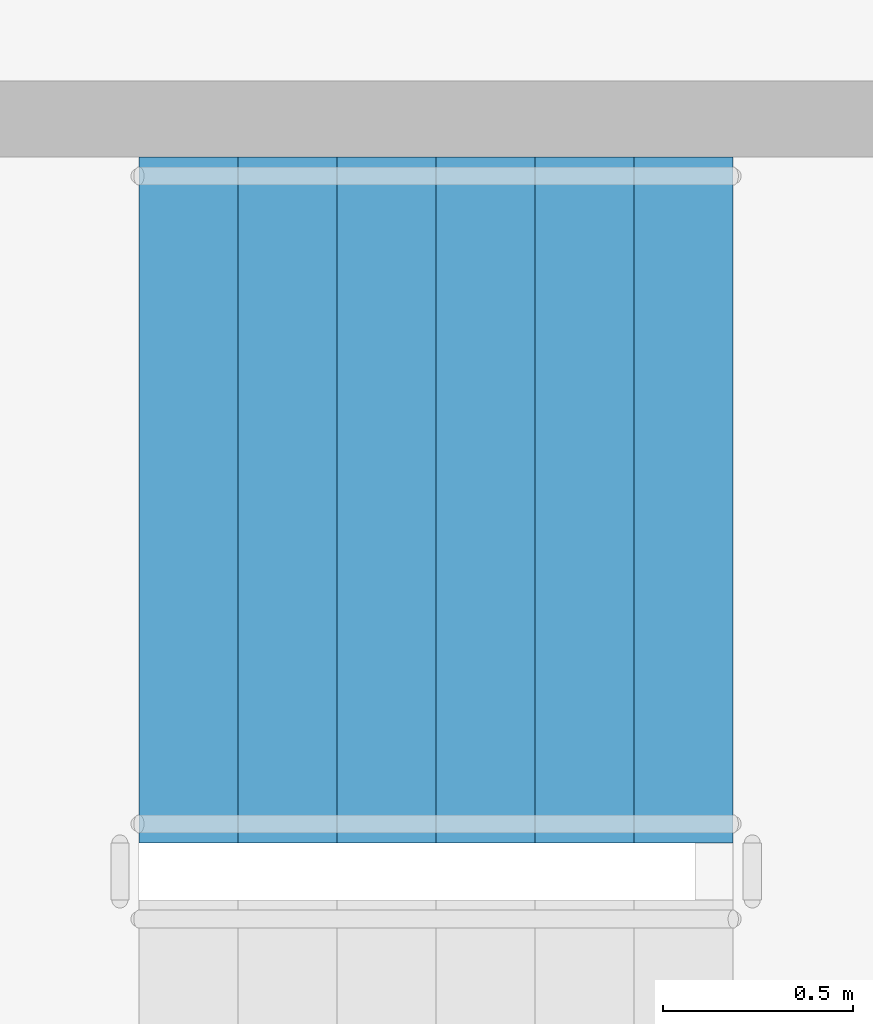
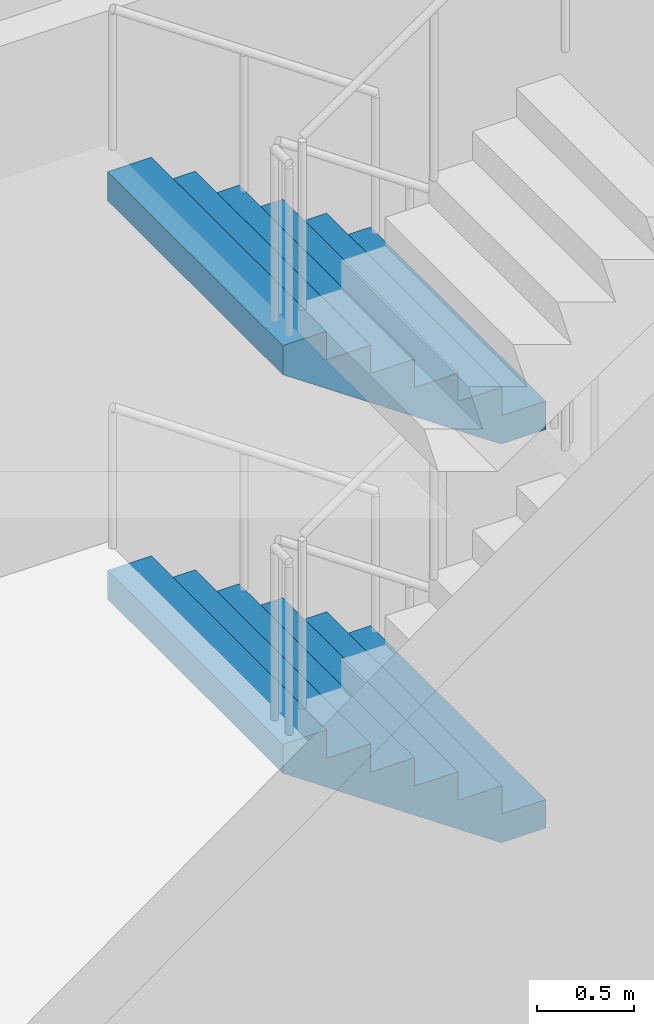
# One storey, part 43 of 59: 2 stair flights, 1 element without a shape of its own.
"""IFC4 building model written with IfcOpenShell, lengths in metres."""

from ifc_helpers import new_model, si_unit, direction, frame, origin, place, context, subcontext, project, spatial, faceted_brep, material, type_object, element, aggregate, save


model = new_model("IFC4")

# Units and contexts
model_context = context("Model", 3, precision=1e-05, world=origin(), true_north=direction((0.0, 1.0)))
body_context = subcontext(model_context, "Body", "Model", "MODEL_VIEW")
ifc_project = project(units=[si_unit("LENGTHUNIT", "METRE"), si_unit("AREAUNIT", "SQUARE_METRE"), si_unit("VOLUMEUNIT", "CUBIC_METRE"), si_unit("PLANEANGLEUNIT", "RADIAN"), si_unit("MASSUNIT", "GRAM", prefix="KILO")], contexts=[model_context])

# Site, building, storey
site_placement = place(None, origin())
site = spatial("IfcSite", under=ifc_project, at=site_placement, CompositionType="ELEMENT")
building_placement = place(site_placement, origin())
building = spatial("IfcBuilding", under=site, at=building_placement, Name="Ipe Terrace Towers", CompositionType="ELEMENT")
storey_placement = place(building_placement, frame((0.0, 0.0, 6.0)))
storey = spatial("IfcBuildingStorey", under=building, at=storey_placement, Name="L01", CompositionType="ELEMENT", Elevation=6.0)

# Stair, stair flights
ifc_material_1 = material(Name="Concrete C30/37", Category="concrete")
stair_type = type_object("IfcStairType", Name="Protected exit stair", PredefinedType="HALF_TURN_STAIR", material=ifc_material_1)
stair_placement = place(storey_placement, origin())
stair = element("IfcStair", 1, at=stair_placement, inside=storey, type_object=stair_type, Name="L01 Podium exit stair PS1", PredefinedType="HALF_TURN_STAIR")
ifc_material_2 = material(Name="Concrete C30/37", Category="concrete")
stair_flight_type = type_object("IfcStairFlightType", Name="Exit stair flight 1800", PredefinedType="STRAIGHT", material=ifc_material_2)
stair_flight_1_placement = place(storey_placement, frame((-54.27001953125, 25.5, 0.0), z_axis=(0.0, 0.0, 1.0), x_axis=(-1.0, 0.0, 0.0)))
stair_flight_1 = element("IfcStairFlight", 2, at=stair_flight_1_placement, type_object=stair_flight_type, Name="PS1 flight 1", NumberOfRisers=7, NumberOfTreads=6, PredefinedType="STRAIGHT", RiserHeight=0.178571429, TreadLength=0.26, context=body_context, shape_type="Brep", body=[
    faceted_brep([(0.264892578125, -0.89990234375, 0.0), (1.56005859375, -0.89990234375, 0.8896484375), (1.56005859375, -0.89990234375, 1.071533203125), (1.300048828125, -0.89990234375, 1.071533203125), (1.300048828125, -0.89990234375, 0.892822265625), (1.0400390625, -0.89990234375, 0.892822265625), (1.0400390625, -0.89990234375, 0.71435546875), (0.780029296875, -0.89990234375, 0.71435546875), (0.780029296875, -0.89990234375, 0.53564453125), (0.52001953125, -0.89990234375, 0.53564453125), (0.52001953125, -0.89990234375, 0.357177734375), (0.260009765625, -0.89990234375, 0.357177734375), (0.260009765625, -0.89990234375, 0.178466796875), (0.0, -0.89990234375, 0.178466796875), (0.0, -0.89990234375, 0.0), (0.0, 0.89990234375, 0.0), (0.0, 0.89990234375, 0.178466796875), (0.260009765625, 0.89990234375, 0.178466796875), (0.260009765625, 0.89990234375, 0.357177734375), (0.52001953125, 0.89990234375, 0.357177734375), (0.52001953125, 0.89990234375, 0.53564453125), (0.780029296875, 0.89990234375, 0.53564453125), (0.780029296875, 0.89990234375, 0.71435546875), (1.0400390625, 0.89990234375, 0.71435546875), (1.0400390625, 0.89990234375, 0.892822265625), (1.300048828125, 0.89990234375, 0.892822265625), (1.300048828125, 0.89990234375, 1.071533203125), (1.56005859375, 0.89990234375, 1.071533203125), (1.56005859375, 0.89990234375, 0.8896484375), (0.264892578125, 0.89990234375, 0.0), (0.0, -0.300048828125, 0.178466796875), (0.0, -0.1201171875, 0.178466796875), (0.0, -0.06005859375, 0.178466796875), (0.0, -0.030029296875, 0.178466796875), (0.0, -0.010009765625, 0.178466796875), (0.0, 0.0, 0.178466796875), (0.0, 0.010009765625, 0.178466796875), (0.0, 0.030029296875, 0.178466796875), (0.0, 0.06005859375, 0.178466796875), (0.0, 0.1201171875, 0.178466796875), (0.0, 0.300048828125, 0.178466796875), (0.0, 0.300048828125, 0.0), (0.0, 0.1201171875, 0.0), (0.0, 0.06005859375, 0.0), (0.0, 0.030029296875, 0.0), (0.0, 0.010009765625, 0.0), (0.0, 0.0, 0.0), (0.0, -0.010009765625, 0.0), (0.0, -0.030029296875, 0.0), (0.0, -0.06005859375, 0.0), (0.0, -0.1201171875, 0.0), (0.0, -0.300048828125, 0.0), (0.260009765625, -0.300048828125, 0.178466796875), (0.260009765625, -0.1201171875, 0.178466796875), (0.260009765625, -0.06005859375, 0.178466796875), (0.260009765625, -0.030029296875, 0.178466796875), (0.260009765625, -0.010009765625, 0.178466796875), (0.260009765625, 0.0, 0.178466796875), (0.260009765625, 0.010009765625, 0.178466796875), (0.260009765625, 0.030029296875, 0.178466796875), (0.260009765625, 0.06005859375, 0.178466796875), (0.260009765625, 0.1201171875, 0.178466796875), (0.260009765625, 0.300048828125, 0.178466796875), (0.260009765625, -0.300048828125, 0.357177734375), (0.260009765625, -0.1201171875, 0.357177734375), (0.260009765625, -0.06005859375, 0.357177734375), (0.260009765625, -0.030029296875, 0.357177734375), (0.260009765625, -0.010009765625, 0.357177734375), (0.260009765625, 0.0, 0.357177734375), (0.260009765625, 0.010009765625, 0.357177734375), (0.260009765625, 0.030029296875, 0.357177734375), (0.260009765625, 0.06005859375, 0.357177734375), (0.260009765625, 0.1201171875, 0.357177734375), (0.260009765625, 0.300048828125, 0.357177734375), (0.52001953125, -0.300048828125, 0.357177734375), (0.52001953125, -0.1201171875, 0.357177734375), (0.52001953125, -0.06005859375, 0.357177734375), (0.52001953125, -0.030029296875, 0.357177734375), (0.52001953125, -0.010009765625, 0.357177734375), (0.52001953125, 0.0, 0.357177734375), (0.52001953125, 0.010009765625, 0.357177734375), (0.52001953125, 0.030029296875, 0.357177734375), (0.52001953125, 0.06005859375, 0.357177734375), (0.52001953125, 0.1201171875, 0.357177734375), (0.52001953125, 0.300048828125, 0.357177734375), (0.52001953125, -0.300048828125, 0.53564453125), (0.52001953125, -0.1201171875, 0.53564453125), (0.52001953125, -0.06005859375, 0.53564453125), (0.52001953125, -0.030029296875, 0.53564453125), (0.52001953125, -0.010009765625, 0.53564453125), (0.52001953125, 0.0, 0.53564453125), (0.52001953125, 0.010009765625, 0.53564453125), (0.52001953125, 0.030029296875, 0.53564453125), (0.52001953125, 0.06005859375, 0.53564453125), (0.52001953125, 0.1201171875, 0.53564453125), (0.52001953125, 0.300048828125, 0.53564453125), (0.780029296875, -0.300048828125, 0.53564453125), (0.780029296875, -0.1201171875, 0.53564453125), (0.780029296875, -0.06005859375, 0.53564453125), (0.780029296875, -0.030029296875, 0.53564453125), (0.780029296875, -0.010009765625, 0.53564453125), (0.780029296875, 0.0, 0.53564453125), (0.780029296875, 0.010009765625, 0.53564453125), (0.780029296875, 0.030029296875, 0.53564453125), (0.780029296875, 0.06005859375, 0.53564453125), (0.780029296875, 0.1201171875, 0.53564453125), (0.780029296875, 0.300048828125, 0.53564453125), (0.780029296875, -0.300048828125, 0.71435546875), (0.780029296875, -0.1201171875, 0.71435546875), (0.780029296875, -0.06005859375, 0.71435546875), (0.780029296875, -0.030029296875, 0.71435546875), (0.780029296875, -0.010009765625, 0.71435546875), (0.780029296875, 0.0, 0.71435546875), (0.780029296875, 0.010009765625, 0.71435546875), (0.780029296875, 0.030029296875, 0.71435546875), (0.780029296875, 0.06005859375, 0.71435546875), (0.780029296875, 0.1201171875, 0.71435546875), (0.780029296875, 0.300048828125, 0.71435546875), (1.0400390625, -0.300048828125, 0.71435546875), (1.0400390625, -0.1201171875, 0.71435546875), (1.0400390625, -0.06005859375, 0.71435546875), (1.0400390625, -0.030029296875, 0.71435546875), (1.0400390625, -0.010009765625, 0.71435546875), (1.0400390625, 0.0, 0.71435546875), (1.0400390625, 0.010009765625, 0.71435546875), (1.0400390625, 0.030029296875, 0.71435546875), (1.0400390625, 0.06005859375, 0.71435546875), (1.0400390625, 0.1201171875, 0.71435546875), (1.0400390625, 0.300048828125, 0.71435546875), (1.0400390625, -0.300048828125, 0.892822265625), (1.0400390625, -0.1201171875, 0.892822265625), (1.0400390625, -0.06005859375, 0.892822265625), (1.0400390625, -0.030029296875, 0.892822265625), (1.0400390625, -0.010009765625, 0.892822265625), (1.0400390625, 0.0, 0.892822265625), (1.0400390625, 0.010009765625, 0.892822265625), (1.0400390625, 0.030029296875, 0.892822265625), (1.0400390625, 0.06005859375, 0.892822265625), (1.0400390625, 0.1201171875, 0.892822265625), (1.0400390625, 0.300048828125, 0.892822265625), (1.300048828125, -0.300048828125, 0.892822265625), (1.300048828125, -0.1201171875, 0.892822265625), (1.300048828125, -0.06005859375, 0.892822265625), (1.300048828125, -0.030029296875, 0.892822265625), (1.300048828125, -0.010009765625, 0.892822265625), (1.300048828125, 0.0, 0.892822265625), (1.300048828125, 0.010009765625, 0.892822265625), (1.300048828125, 0.030029296875, 0.892822265625), (1.300048828125, 0.06005859375, 0.892822265625), (1.300048828125, 0.1201171875, 0.892822265625), (1.300048828125, 0.300048828125, 0.892822265625), (1.300048828125, -0.300048828125, 1.071533203125), (1.300048828125, -0.1201171875, 1.071533203125), (1.300048828125, -0.06005859375, 1.071533203125), (1.300048828125, -0.030029296875, 1.071533203125), (1.300048828125, -0.010009765625, 1.071533203125), (1.300048828125, 0.0, 1.071533203125), (1.300048828125, 0.010009765625, 1.071533203125), (1.300048828125, 0.030029296875, 1.071533203125), (1.300048828125, 0.06005859375, 1.071533203125), (1.300048828125, 0.1201171875, 1.071533203125), (1.300048828125, 0.300048828125, 1.071533203125), (1.56005859375, -0.300048828125, 1.071533203125), (1.56005859375, -0.1201171875, 1.071533203125), (1.56005859375, -0.06005859375, 1.071533203125), (1.56005859375, -0.030029296875, 1.071533203125), (1.56005859375, -0.010009765625, 1.071533203125), (1.56005859375, 0.0, 1.071533203125), (1.56005859375, 0.010009765625, 1.071533203125), (1.56005859375, 0.030029296875, 1.071533203125), (1.56005859375, 0.06005859375, 1.071533203125), (1.56005859375, 0.1201171875, 1.071533203125), (1.56005859375, 0.300048828125, 1.071533203125), (1.56005859375, -0.300048828125, 0.8896484375), (1.56005859375, -0.1201171875, 0.8896484375), (1.56005859375, -0.06005859375, 0.8896484375), (1.56005859375, -0.030029296875, 0.8896484375), (1.56005859375, -0.010009765625, 0.8896484375), (1.56005859375, 0.0, 0.8896484375), (1.56005859375, 0.010009765625, 0.8896484375), (1.56005859375, 0.030029296875, 0.8896484375), (1.56005859375, 0.06005859375, 0.8896484375), (1.56005859375, 0.1201171875, 0.8896484375), (1.56005859375, 0.300048828125, 0.8896484375), (0.264892578125, -0.300048828125, 0.0), (0.264892578125, -0.1201171875, 0.0), (0.264892578125, -0.06005859375, 0.0), (0.264892578125, -0.030029296875, 0.0), (0.264892578125, -0.010009765625, 0.0), (0.264892578125, 0.0, 0.0), (0.264892578125, 0.010009765625, 0.0), (0.264892578125, 0.030029296875, 0.0), (0.264892578125, 0.06005859375, 0.0), (0.264892578125, 0.1201171875, 0.0), (0.264892578125, 0.300048828125, 0.0)], [[[0, 1, 2, 3, 4, 5, 6, 7, 8, 9, 10, 11, 12, 13, 14]], [[15, 16, 17, 18, 19, 20, 21, 22, 23, 24, 25, 26, 27, 28, 29]], [[13, 30, 31, 32, 33, 34, 35, 36, 37, 38, 39, 40, 16, 15, 41, 42, 43, 44, 45, 46, 47, 48, 49, 50, 51, 14]], [[12, 52, 53, 54, 55, 56, 57, 58, 59, 60, 61, 62, 17, 16, 40, 39, 38, 37, 36, 35, 34, 33, 32, 31, 30, 13]], [[11, 63, 64, 65, 66, 67, 68, 69, 70, 71, 72, 73, 18, 17, 62, 61, 60, 59, 58, 57, 56, 55, 54, 53, 52, 12]], [[10, 74, 75, 76, 77, 78, 79, 80, 81, 82, 83, 84, 19, 18, 73, 72, 71, 70, 69, 68, 67, 66, 65, 64, 63, 11]], [[9, 85, 86, 87, 88, 89, 90, 91, 92, 93, 94, 95, 20, 19, 84, 83, 82, 81, 80, 79, 78, 77, 76, 75, 74, 10]], [[8, 96, 97, 98, 99, 100, 101, 102, 103, 104, 105, 106, 21, 20, 95, 94, 93, 92, 91, 90, 89, 88, 87, 86, 85, 9]], [[7, 107, 108, 109, 110, 111, 112, 113, 114, 115, 116, 117, 22, 21, 106, 105, 104, 103, 102, 101, 100, 99, 98, 97, 96, 8]], [[6, 118, 119, 120, 121, 122, 123, 124, 125, 126, 127, 128, 23, 22, 117, 116, 115, 114, 113, 112, 111, 110, 109, 108, 107, 7]], [[5, 129, 130, 131, 132, 133, 134, 135, 136, 137, 138, 139, 24, 23, 128, 127, 126, 125, 124, 123, 122, 121, 120, 119, 118, 6]], [[4, 140, 141, 142, 143, 144, 145, 146, 147, 148, 149, 150, 25, 24, 139, 138, 137, 136, 135, 134, 133, 132, 131, 130, 129, 5]], [[3, 151, 152, 153, 154, 155, 156, 157, 158, 159, 160, 161, 26, 25, 150, 149, 148, 147, 146, 145, 144, 143, 142, 141, 140, 4]], [[2, 162, 163, 164, 165, 166, 167, 168, 169, 170, 171, 172, 27, 26, 161, 160, 159, 158, 157, 156, 155, 154, 153, 152, 151, 3]], [[1, 173, 174, 175, 176, 177, 178, 179, 180, 181, 182, 183, 28, 27, 172, 171, 170, 169, 168, 167, 166, 165, 164, 163, 162, 2]], [[0, 184, 185, 186, 187, 188, 189, 190, 191, 192, 193, 194, 29, 28, 183, 182, 181, 180, 179, 178, 177, 176, 175, 174, 173, 1]], [[14, 51, 50, 49, 48, 47, 46, 45, 44, 43, 42, 41, 15, 29, 194, 193, 192, 191, 190, 189, 188, 187, 186, 185, 184, 0]]]),
])
stair_flight_2_placement = place(storey_placement, frame((-54.27001953125, 25.5, 2.5), z_axis=(0.0, 0.0, 1.0), x_axis=(-1.0, 0.0, 0.0)))
stair_flight_2 = element("IfcStairFlight", 3, at=stair_flight_2_placement, type_object=stair_flight_type, Name="PS1 flight 3", NumberOfRisers=7, NumberOfTreads=6, PredefinedType="STRAIGHT", RiserHeight=0.178571429, TreadLength=0.26, context=body_context, shape_type="Brep", body=[
    faceted_brep([(0.264892578125, -0.89990234375, 0.0), (1.56005859375, -0.89990234375, 0.8896484375), (1.56005859375, -0.89990234375, 1.071533203125), (1.300048828125, -0.89990234375, 1.071533203125), (1.300048828125, -0.89990234375, 0.892822265625), (1.0400390625, -0.89990234375, 0.892822265625), (1.0400390625, -0.89990234375, 0.71435546875), (0.780029296875, -0.89990234375, 0.71435546875), (0.780029296875, -0.89990234375, 0.53564453125), (0.52001953125, -0.89990234375, 0.53564453125), (0.52001953125, -0.89990234375, 0.357177734375), (0.260009765625, -0.89990234375, 0.357177734375), (0.260009765625, -0.89990234375, 0.178466796875), (0.0, -0.89990234375, 0.178466796875), (0.0, -0.89990234375, 0.0), (0.0, 0.89990234375, 0.0), (0.0, 0.89990234375, 0.178466796875), (0.260009765625, 0.89990234375, 0.178466796875), (0.260009765625, 0.89990234375, 0.357177734375), (0.52001953125, 0.89990234375, 0.357177734375), (0.52001953125, 0.89990234375, 0.53564453125), (0.780029296875, 0.89990234375, 0.53564453125), (0.780029296875, 0.89990234375, 0.71435546875), (1.0400390625, 0.89990234375, 0.71435546875), (1.0400390625, 0.89990234375, 0.892822265625), (1.300048828125, 0.89990234375, 0.892822265625), (1.300048828125, 0.89990234375, 1.071533203125), (1.56005859375, 0.89990234375, 1.071533203125), (1.56005859375, 0.89990234375, 0.8896484375), (0.264892578125, 0.89990234375, 0.0), (0.0, -0.300048828125, 0.178466796875), (0.0, -0.1201171875, 0.178466796875), (0.0, -0.06005859375, 0.178466796875), (0.0, -0.030029296875, 0.178466796875), (0.0, -0.010009765625, 0.178466796875), (0.0, 0.0, 0.178466796875), (0.0, 0.010009765625, 0.178466796875), (0.0, 0.030029296875, 0.178466796875), (0.0, 0.06005859375, 0.178466796875), (0.0, 0.1201171875, 0.178466796875), (0.0, 0.300048828125, 0.178466796875), (0.0, 0.300048828125, 0.0), (0.0, 0.1201171875, 0.0), (0.0, 0.06005859375, 0.0), (0.0, 0.030029296875, 0.0), (0.0, 0.010009765625, 0.0), (0.0, 0.0, 0.0), (0.0, -0.010009765625, 0.0), (0.0, -0.030029296875, 0.0), (0.0, -0.06005859375, 0.0), (0.0, -0.1201171875, 0.0), (0.0, -0.300048828125, 0.0), (0.260009765625, -0.300048828125, 0.178466796875), (0.260009765625, -0.1201171875, 0.178466796875), (0.260009765625, -0.06005859375, 0.178466796875), (0.260009765625, -0.030029296875, 0.178466796875), (0.260009765625, -0.010009765625, 0.178466796875), (0.260009765625, 0.0, 0.178466796875), (0.260009765625, 0.010009765625, 0.178466796875), (0.260009765625, 0.030029296875, 0.178466796875), (0.260009765625, 0.06005859375, 0.178466796875), (0.260009765625, 0.1201171875, 0.178466796875), (0.260009765625, 0.300048828125, 0.178466796875), (0.260009765625, -0.300048828125, 0.357177734375), (0.260009765625, -0.1201171875, 0.357177734375), (0.260009765625, -0.06005859375, 0.357177734375), (0.260009765625, -0.030029296875, 0.357177734375), (0.260009765625, -0.010009765625, 0.357177734375), (0.260009765625, 0.0, 0.357177734375), (0.260009765625, 0.010009765625, 0.357177734375), (0.260009765625, 0.030029296875, 0.357177734375), (0.260009765625, 0.06005859375, 0.357177734375), (0.260009765625, 0.1201171875, 0.357177734375), (0.260009765625, 0.300048828125, 0.357177734375), (0.52001953125, -0.300048828125, 0.357177734375), (0.52001953125, -0.1201171875, 0.357177734375), (0.52001953125, -0.06005859375, 0.357177734375), (0.52001953125, -0.030029296875, 0.357177734375), (0.52001953125, -0.010009765625, 0.357177734375), (0.52001953125, 0.0, 0.357177734375), (0.52001953125, 0.010009765625, 0.357177734375), (0.52001953125, 0.030029296875, 0.357177734375), (0.52001953125, 0.06005859375, 0.357177734375), (0.52001953125, 0.1201171875, 0.357177734375), (0.52001953125, 0.300048828125, 0.357177734375), (0.52001953125, -0.300048828125, 0.53564453125), (0.52001953125, -0.1201171875, 0.53564453125), (0.52001953125, -0.06005859375, 0.53564453125), (0.52001953125, -0.030029296875, 0.53564453125), (0.52001953125, -0.010009765625, 0.53564453125), (0.52001953125, 0.0, 0.53564453125), (0.52001953125, 0.010009765625, 0.53564453125), (0.52001953125, 0.030029296875, 0.53564453125), (0.52001953125, 0.06005859375, 0.53564453125), (0.52001953125, 0.1201171875, 0.53564453125), (0.52001953125, 0.300048828125, 0.53564453125), (0.780029296875, -0.300048828125, 0.53564453125), (0.780029296875, -0.1201171875, 0.53564453125), (0.780029296875, -0.06005859375, 0.53564453125), (0.780029296875, -0.030029296875, 0.53564453125), (0.780029296875, -0.010009765625, 0.53564453125), (0.780029296875, 0.0, 0.53564453125), (0.780029296875, 0.010009765625, 0.53564453125), (0.780029296875, 0.030029296875, 0.53564453125), (0.780029296875, 0.06005859375, 0.53564453125), (0.780029296875, 0.1201171875, 0.53564453125), (0.780029296875, 0.300048828125, 0.53564453125), (0.780029296875, -0.300048828125, 0.71435546875), (0.780029296875, -0.1201171875, 0.71435546875), (0.780029296875, -0.06005859375, 0.71435546875), (0.780029296875, -0.030029296875, 0.71435546875), (0.780029296875, -0.010009765625, 0.71435546875), (0.780029296875, 0.0, 0.71435546875), (0.780029296875, 0.010009765625, 0.71435546875), (0.780029296875, 0.030029296875, 0.71435546875), (0.780029296875, 0.06005859375, 0.71435546875), (0.780029296875, 0.1201171875, 0.71435546875), (0.780029296875, 0.300048828125, 0.71435546875), (1.0400390625, -0.300048828125, 0.71435546875), (1.0400390625, -0.1201171875, 0.71435546875), (1.0400390625, -0.06005859375, 0.71435546875), (1.0400390625, -0.030029296875, 0.71435546875), (1.0400390625, -0.010009765625, 0.71435546875), (1.0400390625, 0.0, 0.71435546875), (1.0400390625, 0.010009765625, 0.71435546875), (1.0400390625, 0.030029296875, 0.71435546875), (1.0400390625, 0.06005859375, 0.71435546875), (1.0400390625, 0.1201171875, 0.71435546875), (1.0400390625, 0.300048828125, 0.71435546875), (1.0400390625, -0.300048828125, 0.892822265625), (1.0400390625, -0.1201171875, 0.892822265625), (1.0400390625, -0.06005859375, 0.892822265625), (1.0400390625, -0.030029296875, 0.892822265625), (1.0400390625, -0.010009765625, 0.892822265625), (1.0400390625, 0.0, 0.892822265625), (1.0400390625, 0.010009765625, 0.892822265625), (1.0400390625, 0.030029296875, 0.892822265625), (1.0400390625, 0.06005859375, 0.892822265625), (1.0400390625, 0.1201171875, 0.892822265625), (1.0400390625, 0.300048828125, 0.892822265625), (1.300048828125, -0.300048828125, 0.892822265625), (1.300048828125, -0.1201171875, 0.892822265625), (1.300048828125, -0.06005859375, 0.892822265625), (1.300048828125, -0.030029296875, 0.892822265625), (1.300048828125, -0.010009765625, 0.892822265625), (1.300048828125, 0.0, 0.892822265625), (1.300048828125, 0.010009765625, 0.892822265625), (1.300048828125, 0.030029296875, 0.892822265625), (1.300048828125, 0.06005859375, 0.892822265625), (1.300048828125, 0.1201171875, 0.892822265625), (1.300048828125, 0.300048828125, 0.892822265625), (1.300048828125, -0.300048828125, 1.071533203125), (1.300048828125, -0.1201171875, 1.071533203125), (1.300048828125, -0.06005859375, 1.071533203125), (1.300048828125, -0.030029296875, 1.071533203125), (1.300048828125, -0.010009765625, 1.071533203125), (1.300048828125, 0.0, 1.071533203125), (1.300048828125, 0.010009765625, 1.071533203125), (1.300048828125, 0.030029296875, 1.071533203125), (1.300048828125, 0.06005859375, 1.071533203125), (1.300048828125, 0.1201171875, 1.071533203125), (1.300048828125, 0.300048828125, 1.071533203125), (1.56005859375, -0.300048828125, 1.071533203125), (1.56005859375, -0.1201171875, 1.071533203125), (1.56005859375, -0.06005859375, 1.071533203125), (1.56005859375, -0.030029296875, 1.071533203125), (1.56005859375, -0.010009765625, 1.071533203125), (1.56005859375, 0.0, 1.071533203125), (1.56005859375, 0.010009765625, 1.071533203125), (1.56005859375, 0.030029296875, 1.071533203125), (1.56005859375, 0.06005859375, 1.071533203125), (1.56005859375, 0.1201171875, 1.071533203125), (1.56005859375, 0.300048828125, 1.071533203125), (1.56005859375, -0.300048828125, 0.8896484375), (1.56005859375, -0.1201171875, 0.8896484375), (1.56005859375, -0.06005859375, 0.8896484375), (1.56005859375, -0.030029296875, 0.8896484375), (1.56005859375, -0.010009765625, 0.8896484375), (1.56005859375, 0.0, 0.8896484375), (1.56005859375, 0.010009765625, 0.8896484375), (1.56005859375, 0.030029296875, 0.8896484375), (1.56005859375, 0.06005859375, 0.8896484375), (1.56005859375, 0.1201171875, 0.8896484375), (1.56005859375, 0.300048828125, 0.8896484375), (0.264892578125, -0.300048828125, 0.0), (0.264892578125, -0.1201171875, 0.0), (0.264892578125, -0.06005859375, 0.0), (0.264892578125, -0.030029296875, 0.0), (0.264892578125, -0.010009765625, 0.0), (0.264892578125, 0.0, 0.0), (0.264892578125, 0.010009765625, 0.0), (0.264892578125, 0.030029296875, 0.0), (0.264892578125, 0.06005859375, 0.0), (0.264892578125, 0.1201171875, 0.0), (0.264892578125, 0.300048828125, 0.0)], [[[0, 1, 2, 3, 4, 5, 6, 7, 8, 9, 10, 11, 12, 13, 14]], [[15, 16, 17, 18, 19, 20, 21, 22, 23, 24, 25, 26, 27, 28, 29]], [[13, 30, 31, 32, 33, 34, 35, 36, 37, 38, 39, 40, 16, 15, 41, 42, 43, 44, 45, 46, 47, 48, 49, 50, 51, 14]], [[12, 52, 53, 54, 55, 56, 57, 58, 59, 60, 61, 62, 17, 16, 40, 39, 38, 37, 36, 35, 34, 33, 32, 31, 30, 13]], [[11, 63, 64, 65, 66, 67, 68, 69, 70, 71, 72, 73, 18, 17, 62, 61, 60, 59, 58, 57, 56, 55, 54, 53, 52, 12]], [[10, 74, 75, 76, 77, 78, 79, 80, 81, 82, 83, 84, 19, 18, 73, 72, 71, 70, 69, 68, 67, 66, 65, 64, 63, 11]], [[9, 85, 86, 87, 88, 89, 90, 91, 92, 93, 94, 95, 20, 19, 84, 83, 82, 81, 80, 79, 78, 77, 76, 75, 74, 10]], [[8, 96, 97, 98, 99, 100, 101, 102, 103, 104, 105, 106, 21, 20, 95, 94, 93, 92, 91, 90, 89, 88, 87, 86, 85, 9]], [[7, 107, 108, 109, 110, 111, 112, 113, 114, 115, 116, 117, 22, 21, 106, 105, 104, 103, 102, 101, 100, 99, 98, 97, 96, 8]], [[6, 118, 119, 120, 121, 122, 123, 124, 125, 126, 127, 128, 23, 22, 117, 116, 115, 114, 113, 112, 111, 110, 109, 108, 107, 7]], [[5, 129, 130, 131, 132, 133, 134, 135, 136, 137, 138, 139, 24, 23, 128, 127, 126, 125, 124, 123, 122, 121, 120, 119, 118, 6]], [[4, 140, 141, 142, 143, 144, 145, 146, 147, 148, 149, 150, 25, 24, 139, 138, 137, 136, 135, 134, 133, 132, 131, 130, 129, 5]], [[3, 151, 152, 153, 154, 155, 156, 157, 158, 159, 160, 161, 26, 25, 150, 149, 148, 147, 146, 145, 144, 143, 142, 141, 140, 4]], [[2, 162, 163, 164, 165, 166, 167, 168, 169, 170, 171, 172, 27, 26, 161, 160, 159, 158, 157, 156, 155, 154, 153, 152, 151, 3]], [[1, 173, 174, 175, 176, 177, 178, 179, 180, 181, 182, 183, 28, 27, 172, 171, 170, 169, 168, 167, 166, 165, 164, 163, 162, 2]], [[0, 184, 185, 186, 187, 188, 189, 190, 191, 192, 193, 194, 29, 28, 183, 182, 181, 180, 179, 178, 177, 176, 175, 174, 173, 1]], [[14, 51, 50, 49, 48, 47, 46, 45, 44, 43, 42, 41, 15, 29, 194, 193, 192, 191, 190, 189, 188, 187, 186, 185, 184, 0]]]),
])
aggregate(stair, [stair_flight_1, stair_flight_2])

save(model, "model.ifc")
